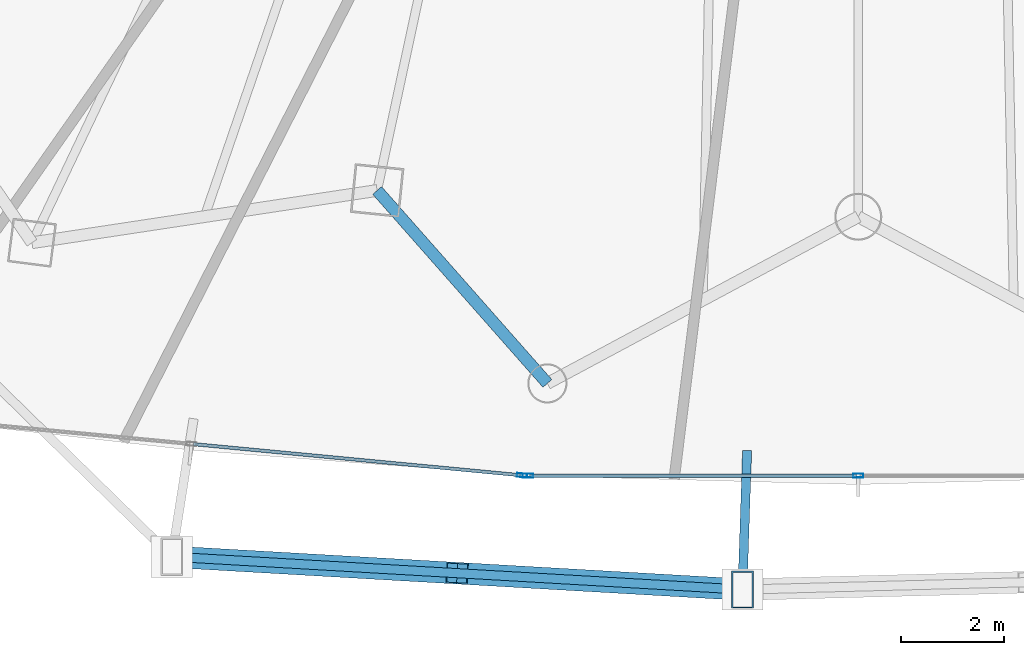
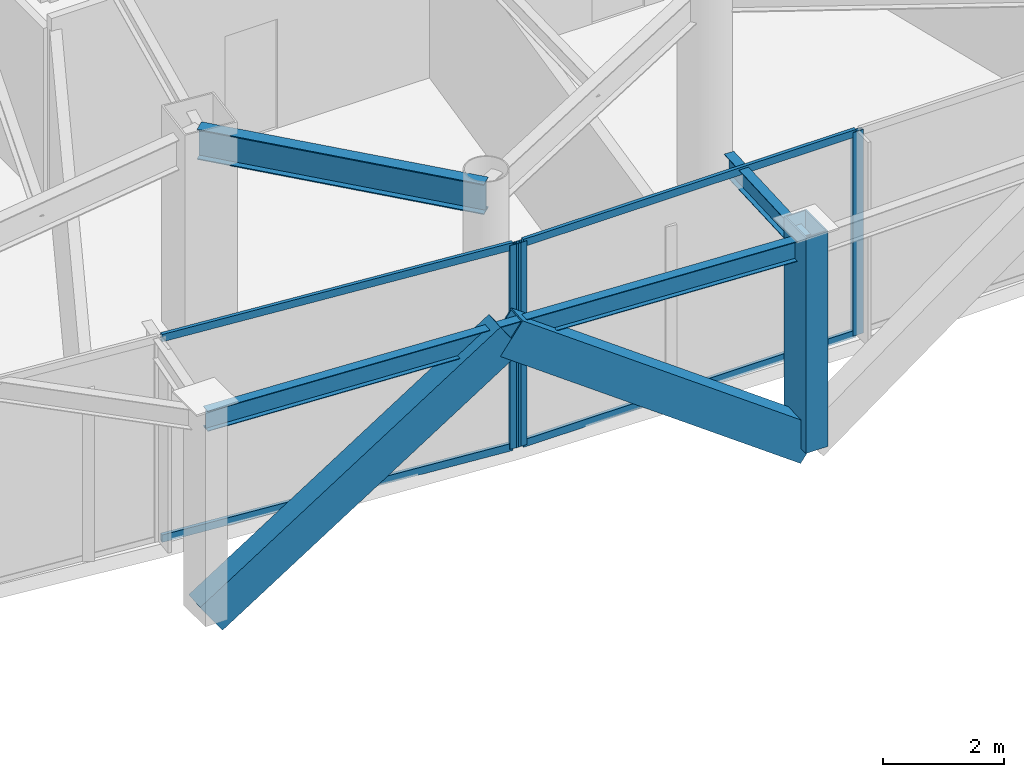
# One storey, part 6 of 33: 10 members, 3 beams, 2 elements without a shape of their own.
"""IFC4 building model written with IfcOpenShell, lengths in metres."""

from ifc_helpers import new_model, si_unit, direction, frame, origin, origin_2d, place, context, subcontext, project, spatial, hollow_rectangle, i_section, extrude, material, layer, layer_set, material_profile, profile_set, type_object, element, aggregate, save


model = new_model("IFC4")

# Units and contexts
model_context = context("Model", 3, precision=1e-05, world=origin(), true_north=direction((0.0, 1.0)))
body_context = subcontext(model_context, "Body", "Model", "MODEL_VIEW")
ifc_project = project(units=[si_unit("LENGTHUNIT", "METRE"), si_unit("AREAUNIT", "SQUARE_METRE"), si_unit("VOLUMEUNIT", "CUBIC_METRE"), si_unit("PLANEANGLEUNIT", "RADIAN"), si_unit("MASSUNIT", "GRAM", prefix="KILO")], contexts=[model_context])

# Site, building, storey
site_placement = place(None, origin())
site = spatial("IfcSite", under=ifc_project, at=site_placement, CompositionType="ELEMENT")
building_placement = place(site_placement, origin())
building = spatial("IfcBuilding", under=site, at=building_placement, Name="Orvanel Arch Residences", CompositionType="ELEMENT")
storey_placement = place(building_placement, frame((0.0, 0.0, 59.89990234375)))
storey = spatial("IfcBuildingStorey", under=building, at=storey_placement, Name="L16", CompositionType="ELEMENT", Elevation=59.89990234375)

# Members
ifc_material_1 = material(Name="Structural steel AS/NZS 3678 Grade 350", Category="steel")
ifc_material_profile_1 = material_profile(ifc_material_1, hollow_rectangle(XDim=0.419921875, YDim=0.719970703125, WallThickness=0.02490234375, at=origin_2d()), Name="RHS720x420x25")
ifc_profile_set_1 = profile_set([ifc_material_profile_1], Name="Structural steel AS/NZS 3678 Grade 350")
member_type_1 = type_object("IfcMemberType", Name="BR-720RHS-EXT", PredefinedType="BRACE", material=ifc_profile_set_1)
member_1_placement = place(storey_placement, frame((19.658935546875, 0.236083984375, 0.0), z_axis=(0.816568301784, -0.046988718814, 0.575333180709), x_axis=(0.057449099928, 0.998348436628, 0.0)))
element("IfcMember", 1, at=member_1_placement, inside=storey, type_object=member_type_1, Name="L16 Exterior Sky-Garden V-Frame Chevron F2B1.1", PredefinedType="BRACE", context=body_context, shape_type="SweptSolid", body=[
    extrude(hollow_rectangle(XDim=0.419921875, YDim=0.719970703125, WallThickness=0.02490234375, at=origin_2d()), origin(), (0.0, 0.0, 1.0), 6.790771484375),
])
member_2_placement = place(storey_placement, frame((30.7490234375, -0.402099609375, 0.0), z_axis=(-0.816556321607, 0.046990098289, 0.575350071093), x_axis=(-0.05745162104, -0.99834829155, 0.0)))
element("IfcMember", 2, at=member_2_placement, inside=storey, type_object=member_type_1, Name="L16 Exterior Sky-Garden V-Frame Chevron F2B1.2", PredefinedType="BRACE", context=body_context, shape_type="SweptSolid", body=[
    extrude(hollow_rectangle(XDim=0.419921875, YDim=0.719970703125, WallThickness=0.02490234375, at=origin_2d()), origin(), (0.0, 0.0, 1.0), 6.79052734375),
])
ifc_material_profile_2 = material_profile(ifc_material_1, hollow_rectangle(XDim=0.419921875, YDim=0.719970703125, WallThickness=0.02490234375, at=origin_2d()), Name="RHS720x420x25")
ifc_profile_set_2 = profile_set([ifc_material_profile_2], Name="Structural steel AS/NZS 3678 Grade 350")
member_type_2 = type_object("IfcMemberType", Name="CH-720RHS-EXT", PredefinedType="CHORD", material=ifc_profile_set_2)
member_3_placement = place(storey_placement, frame((30.7490234375, -0.402099609375, 0.0), z_axis=(0.0, 0.0, 1.0), x_axis=(1.0, 0.0, 0.0)))
element("IfcMember", 3, at=member_3_placement, inside=storey, type_object=member_type_2, Name="L16 Outer Perimeter Frame Post 06", PredefinedType="CHORD", context=body_context, shape_type="SweptSolid", body=[
    extrude(hollow_rectangle(XDim=0.419921875, YDim=0.719970703125, WallThickness=0.02490234375, at=origin_2d()), origin(), (0.0, 0.0, 1.0), 4.35009765625),
])

# Curtain wall, member
ifc_material_2 = material(Name="Bronze-anodised aluminium AA6063-T6", Category="aluminium")
ifc_layer = layer(ifc_material_2, 0.195068359375)
ifc_layer_set = layer_set([ifc_layer], Name="Bronze-anodised aluminium AA6063-T6")
curtain_wall_type = type_object("IfcCurtainWallType", Name="CW6-COM-SYS", PredefinedType="NOTDEFINED", material=ifc_layer_set)
curtain_wall_1_placement = place(storey_placement, origin())
curtain_wall_1 = element("IfcCurtainWall", 4, at=curtain_wall_1_placement, inside=storey, type_object=curtain_wall_type, Name="L16 CW6-COM-SYS Unitised Curtain Wall", PredefinedType="NOTDEFINED")
ifc_material_profile_3 = material_profile(ifc_material_2, hollow_rectangle(XDim=0.074951171875, YDim=0.199951171875, WallThickness=0.0048828125, at=origin_2d()), Name="ALU200x75x5")
ifc_profile_set_3 = profile_set([ifc_material_profile_3], Name="Bronze-anodised aluminium AA6063-T6")
member_type_3 = type_object("IfcMemberType", Name="MUL-200x75", PredefinedType="MULLION", material=ifc_profile_set_3)
member_4_placement = place(storey_placement, frame((26.463623046875, 1.817626953125, 0.0), z_axis=(0.0, 0.0, 1.0), x_axis=(0.094627268719, 0.995512772402, 0.0)))
member_4 = element("IfcMember", 5, at=member_4_placement, type_object=member_type_3, Name="CW-S6 mullion 3", PredefinedType="MULLION", context=body_context, shape_type="SweptSolid", body=[
    extrude(hollow_rectangle(XDim=0.074951171875, YDim=0.199951171875, WallThickness=0.0048828125, at=origin_2d()), origin(), (0.0, 0.0, 1.0), 4.110107421875),
])

# Curtain wall, members
curtain_wall_2_placement = place(storey_placement, origin())
curtain_wall_2 = element("IfcCurtainWall", 6, at=curtain_wall_2_placement, inside=storey, type_object=curtain_wall_type, Name="L16 CW6-COM-SYS Unitised Curtain Wall", PredefinedType="NOTDEFINED")
member_5_placement = place(storey_placement, frame((26.57861328125, 1.81201171875, 0.0), z_axis=(0.0, 0.0, 1.0), x_axis=(0.0, 1.0, 0.0)))
member_5 = element("IfcMember", 7, at=member_5_placement, type_object=member_type_3, Name="CW-S6 mullion 1", PredefinedType="MULLION", context=body_context, shape_type="SweptSolid", body=[
    extrude(hollow_rectangle(XDim=0.074951171875, YDim=0.199951171875, WallThickness=0.0048828125, at=origin_2d()), origin(), (0.0, 0.0, 1.0), 4.110107421875),
])
member_6_placement = place(storey_placement, frame((33.0, 1.81201171875, 0.0), z_axis=(0.0, 0.0, 1.0), x_axis=(0.0, 1.0, 0.0)))
member_6 = element("IfcMember", 8, at=member_6_placement, type_object=member_type_3, Name="CW-S6 mullion 2", PredefinedType="MULLION", context=body_context, shape_type="SweptSolid", body=[
    extrude(hollow_rectangle(XDim=0.074951171875, YDim=0.199951171875, WallThickness=0.0048828125, at=origin_2d()), origin(), (0.0, 0.0, 1.0), 4.110107421875),
])

# Beams
ifc_material_3 = material(Name="Structural steel AS/NZS 3679.1 Grade 300 (300 MPa)", Category="steel")
ifc_material_profile_4 = material_profile(ifc_material_3, i_section(OverallWidth=0.177978515625, OverallDepth=0.406005859375, WebThickness=0.0078125, FlangeThickness=0.0126953125, at=origin_2d()), Name="410UB59.7")
ifc_profile_set_4 = profile_set([ifc_material_profile_4], Name="Structural steel AS/NZS 3679.1 Grade 300 (300 MPa)")
beam_type_1 = type_object("IfcBeamType", Name="OB-410UB-EXT", PredefinedType="SPANDREL", material=ifc_profile_set_4)
beam_1_placement = place(storey_placement, frame((19.658935546875, 0.236083984375, 3.906982421875), z_axis=(0.998348364091, -0.057450360456, 0.0), x_axis=(0.057450360456, 0.998348364091, 0.0)))
element("IfcBeam", 9, at=beam_1_placement, inside=storey, type_object=beam_type_1, Name="L16 Outer Perimeter Floor Ring Beam 05", PredefinedType="SPANDREL", context=body_context, shape_type="SweptSolid", body=[
    extrude(i_section(OverallWidth=0.177978515625, OverallDepth=0.406005859375, WebThickness=0.0078125, FlangeThickness=0.0126953125, at=origin_2d()), origin(), (0.0, 0.0, 1.0), 11.1083984375),
])
beam_2_placement = place(storey_placement, frame((30.839111328125, 2.302001953125, 3.906982421875), z_axis=(-0.033296803209, -0.999445507717, 0.0), x_axis=(0.999445507717, -0.033296803209, 0.0)))
element("IfcBeam", 10, at=beam_2_placement, inside=storey, type_object=beam_type_1, Name="L16 Outer Frame Radial Tie Beam 06", PredefinedType="SPANDREL", context=body_context, shape_type="SweptSolid", body=[
    extrude(i_section(OverallWidth=0.177978515625, OverallDepth=0.406005859375, WebThickness=0.0078125, FlangeThickness=0.0126953125, at=origin_2d()), origin(), (0.0, 0.0, 1.0), 2.70556640625),
])
ifc_material_profile_5 = material_profile(ifc_material_3, i_section(OverallWidth=0.22900390625, OverallDepth=0.612060546875, WebThickness=0.011962890625, FlangeThickness=0.01953125, at=origin_2d()), Name="610UB125")
ifc_profile_set_5 = profile_set([ifc_material_profile_5], Name="Structural steel AS/NZS 3679.1 Grade 300 (300 MPa)")
beam_type_2 = type_object("IfcBeamType", Name="SP-610UB", PredefinedType="SPANDREL", material=ifc_profile_set_5)
beam_3_placement = place(storey_placement, frame((23.64892578125, 7.35498046875, 3.80419921875), z_axis=(0.661650698195, -0.749812212209, 0.0), x_axis=(0.749812212209, 0.661650698195, 0.0)))
element("IfcBeam", 11, at=beam_3_placement, inside=storey, type_object=beam_type_2, Name="L16 Perimeter Spandrel Beam 05", PredefinedType="SPANDREL", context=body_context, shape_type="SweptSolid", body=[
    extrude(i_section(OverallWidth=0.22900390625, OverallDepth=0.612060546875, WebThickness=0.011962890625, FlangeThickness=0.01953125, at=origin_2d()), origin(), (0.0, 0.0, 1.0), 5.001220703125),
])

# Member
ifc_material_profile_6 = material_profile(ifc_material_2, hollow_rectangle(XDim=0.06494140625, YDim=0.14990234375, WallThickness=0.00390625, at=origin_2d()), Name="ALU150x65x4")
ifc_profile_set_6 = profile_set([ifc_material_profile_6], Name="Bronze-anodised aluminium AA6063-T6")
member_type_4 = type_object("IfcMemberType", Name="TRN-150x65", PredefinedType="USERDEFINED", material=ifc_profile_set_6)
member_7_placement = place(storey_placement, frame((20.078857421875, 2.424560546875, 0.03271484375), z_axis=(0.995510260322, -0.09465369297, 0.0), x_axis=(0.09465369297, 0.995510260322, 0.0)))
member_7 = element("IfcMember", 12, at=member_7_placement, type_object=member_type_4, Name="CW-S6 transom 2.1", ObjectType="TRANSOM", PredefinedType="USERDEFINED", context=body_context, shape_type="SweptSolid", body=[
    extrude(hollow_rectangle(XDim=0.06494140625, YDim=0.14990234375, WallThickness=0.00390625, at=origin_2d()), origin(), (0.0, 0.0, 1.0), 6.3759765625),
])

member_8_placement = place(storey_placement, frame((20.078857421875, 2.424560546875, 4.07763671875), z_axis=(0.995510260322, -0.09465369297, 0.0), x_axis=(0.09465369297, 0.995510260322, 0.0)))
member_8 = element("IfcMember", 13, at=member_8_placement, type_object=member_type_4, Name="CW-S6 transom 2.2", ObjectType="TRANSOM", PredefinedType="USERDEFINED", context=body_context, shape_type="SweptSolid", body=[
    extrude(hollow_rectangle(XDim=0.06494140625, YDim=0.14990234375, WallThickness=0.00390625, at=origin_2d()), origin(), (0.0, 0.0, 1.0), 6.3759765625),
])

aggregate(curtain_wall_1, [member_4, member_7, member_8])

member_9_placement = place(storey_placement, frame((26.615966796875, 1.81201171875, 0.03271484375), z_axis=(1.0, 0.0, 0.0), x_axis=(0.0, 1.0, 0.0)))
member_9 = element("IfcMember", 14, at=member_9_placement, type_object=member_type_4, Name="CW-S6 transom 1.1", ObjectType="TRANSOM", PredefinedType="USERDEFINED", context=body_context, shape_type="SweptSolid", body=[
    extrude(hollow_rectangle(XDim=0.06494140625, YDim=0.14990234375, WallThickness=0.00390625, at=origin_2d()), origin(), (0.0, 0.0, 1.0), 6.346435546875),
])

member_10_placement = place(storey_placement, frame((26.615966796875, 1.81201171875, 4.07763671875), z_axis=(1.0, 0.0, 0.0), x_axis=(0.0, 1.0, 0.0)))
member_10 = element("IfcMember", 15, at=member_10_placement, type_object=member_type_4, Name="CW-S6 transom 1.2", ObjectType="TRANSOM", PredefinedType="USERDEFINED", context=body_context, shape_type="SweptSolid", body=[
    extrude(hollow_rectangle(XDim=0.06494140625, YDim=0.14990234375, WallThickness=0.00390625, at=origin_2d()), origin(), (0.0, 0.0, 1.0), 6.346435546875),
])

aggregate(curtain_wall_2, [member_5, member_6, member_9, member_10])

save(model, "model.ifc")
